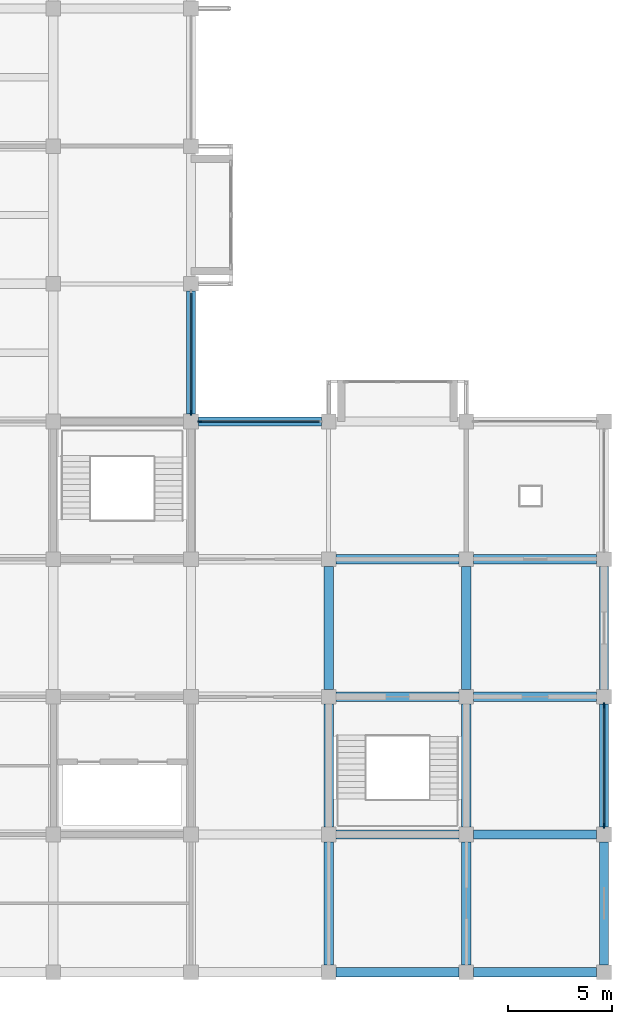
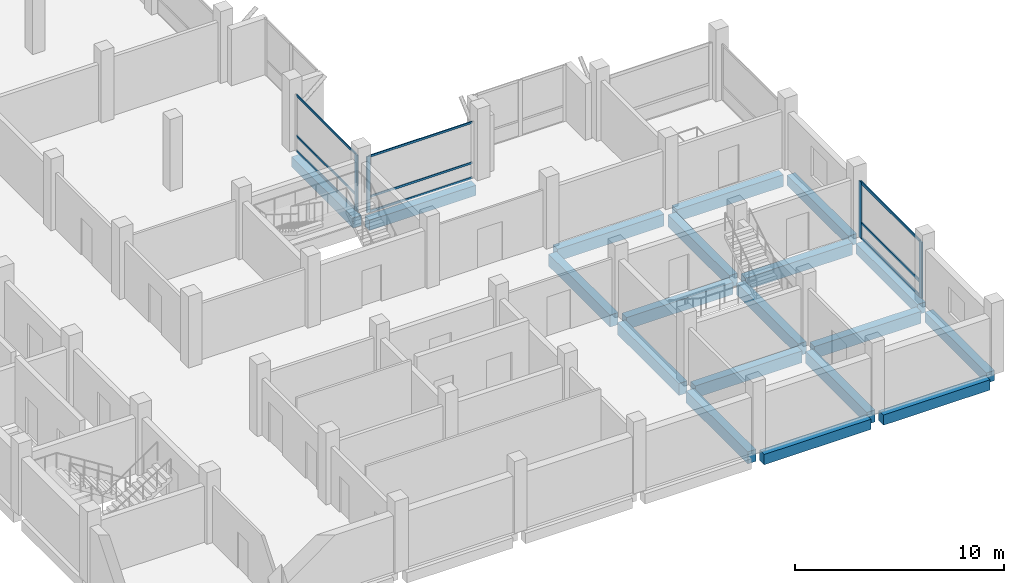
# One storey, part 2 of 11: 19 beams, 13 members, 3 elements without a shape of their own.
"""IFC4 building model written with IfcOpenShell, lengths in metres."""

from ifc_helpers import new_model, si_unit, direction, frame, origin, origin_2d, place, context, subcontext, project, spatial, rectangle, extrude, material, material_profile, profile_set, type_object, element, aggregate, save


model = new_model("IFC4")

# Units and contexts
model_context = context("Model", 3, precision=1e-05, world=origin(), true_north=direction((0.0, 1.0)))
body_context = subcontext(model_context, "Body", "Model", "MODEL_VIEW")
ifc_project = project(units=[si_unit("LENGTHUNIT", "METRE"), si_unit("AREAUNIT", "SQUARE_METRE"), si_unit("VOLUMEUNIT", "CUBIC_METRE"), si_unit("PLANEANGLEUNIT", "RADIAN"), si_unit("MASSUNIT", "GRAM", prefix="KILO")], contexts=[model_context])

# Site, building, storey
site_placement = place(None, origin())
site = spatial("IfcSite", under=ifc_project, at=site_placement, CompositionType="ELEMENT")
building_placement = place(site_placement, origin())
building = spatial("IfcBuilding", under=site, at=building_placement, Name="Rusizi Kubbe Research Institute", CompositionType="ELEMENT")
storey_placement = place(building_placement, frame((0.0, 0.0, 39.60009765625)))
storey = spatial("IfcBuildingStorey", under=building, at=storey_placement, Name="L09", CompositionType="ELEMENT", Elevation=39.60009765625)

# Beams
ifc_material_1 = material(Name="Concrete C40/50", Category="concrete")
ifc_material_profile_1 = material_profile(ifc_material_1, rectangle(XDim=0.449951171875, YDim=0.60009765625, at=origin_2d()), Name="RC450x600")
ifc_profile_set_1 = profile_set([ifc_material_profile_1], Name="Concrete C40/50")
beam_type_1 = type_object("IfcBeamType", Name="BM-RC450x600", PredefinedType="SPANDREL", material=ifc_profile_set_1)
for number, where, z_axis, x_axis, name in (
    (1, (26.75, 26.39990234375, -0.6201171875), (1.0, 0.0, 0.0), (0.0, 1.0, 0.0), "Grid Beam H L09 (4,4)"),
    (2, (33.35009765625, 0.0, -0.6201171875), (1.0, 0.0, 0.0), (0.0, 1.0, 0.0), "Grid Beam H L09 (5,0)"),
):
    element("IfcBeam", number, at=place(storey_placement, frame(where, z_axis=z_axis, x_axis=x_axis)), inside=storey, type_object=beam_type_1, Name=name, PredefinedType="SPANDREL", context=body_context, shape_type="SweptSolid", body=[
        extrude(rectangle(XDim=0.449951171875, YDim=0.60009765625, at=origin_2d()), origin(), (0.0, 0.0, 1.0), 5.89990234375),
    ])
beam_1_placement = place(storey_placement, frame((39.949951171875, 0.0, -0.6201171875), z_axis=(1.0, 0.0, 0.0), x_axis=(0.0, 1.0, 0.0)))
element("IfcBeam", 3, at=beam_1_placement, inside=storey, type_object=beam_type_1, Name="Grid Beam H L09 (6,0)", PredefinedType="SPANDREL", context=body_context, shape_type="SweptSolid", body=[
    extrude(rectangle(XDim=0.449951171875, YDim=0.60009765625, at=origin_2d()), origin(), (0.0, 0.0, 1.0), 5.900146484375),
])
for number, where, z_axis, x_axis, name in (
    (4, (26.39990234375, 26.75, -0.6201171875), (0.0, 1.0, 0.0), (-1.0, 0.0, 0.0), "Grid Beam V L09 (4,4)"),
    (5, (46.199951171875, 0.35009765625, -0.6201171875), (0.0, 1.0, 0.0), (-1.0, 0.0, 0.0), "Grid Beam V L09 (7,0)"),
):
    element("IfcBeam", number, at=place(storey_placement, frame(where, z_axis=z_axis, x_axis=x_axis)), inside=storey, type_object=beam_type_1, Name=name, PredefinedType="SPANDREL", context=body_context, shape_type="SweptSolid", body=[
        extrude(rectangle(XDim=0.449951171875, YDim=0.60009765625, at=origin_2d()), origin(), (0.0, 0.0, 1.0), 5.89990234375),
    ])
beam_2_placement = place(storey_placement, frame((46.199951171875, 6.949951171875, -0.6201171875), z_axis=(0.0, 1.0, 0.0), x_axis=(-1.0, 0.0, 0.0)))
element("IfcBeam", 6, at=beam_2_placement, inside=storey, type_object=beam_type_1, Name="Grid Beam V L09 (7,1)", PredefinedType="SPANDREL", context=body_context, shape_type="SweptSolid", body=[
    extrude(rectangle(XDim=0.449951171875, YDim=0.60009765625, at=origin_2d()), origin(), (0.0, 0.0, 1.0), 5.900146484375),
])
beam_3_placement = place(storey_placement, frame((46.199951171875, 13.550048828125, -0.6201171875), z_axis=(0.0, 1.0, 0.0), x_axis=(-1.0, 0.0, 0.0)))
element("IfcBeam", 7, at=beam_3_placement, inside=storey, type_object=beam_type_1, Name="Grid Beam V L09 (7,2)", PredefinedType="SPANDREL", context=body_context, shape_type="SweptSolid", body=[
    extrude(rectangle(XDim=0.449951171875, YDim=0.60009765625, at=origin_2d()), origin(), (0.0, 0.0, 1.0), 5.89990234375),
])
ifc_material_2 = material(Name="Concrete C40/50", Category="concrete")
ifc_material_profile_2 = material_profile(ifc_material_2, rectangle(XDim=0.449951171875, YDim=0.699951171875, at=origin_2d()), Name="RC450x700B")
ifc_profile_set_2 = profile_set([ifc_material_profile_2], Name="Concrete C40/50")
beam_type_2 = type_object("IfcBeamType", Name="BM-RC450x700", PredefinedType="BEAM", material=ifc_profile_set_2)
for number, where, z_axis, x_axis, name in (
    (8, (33.35009765625, 6.60009765625, -0.670166015625), (1.0, 0.0, 0.0), (0.0, 1.0, 0.0), "Grid Beam H L09 (5,1)"),
    (9, (33.35009765625, 13.199951171875, -0.670166015625), (1.0, 0.0, 0.0), (0.0, 1.0, 0.0), "Grid Beam H L09 (5,2)"),
    (10, (33.35009765625, 19.800048828125, -0.670166015625), (1.0, 0.0, 0.0), (0.0, 1.0, 0.0), "Grid Beam H L09 (5,3)"),
):
    element("IfcBeam", number, at=place(storey_placement, frame(where, z_axis=z_axis, x_axis=x_axis)), inside=storey, type_object=beam_type_2, Name=name, PredefinedType="BEAM", context=body_context, shape_type="SweptSolid", body=[
        extrude(rectangle(XDim=0.449951171875, YDim=0.699951171875, at=origin_2d()), origin(), (0.0, 0.0, 1.0), 5.89990234375),
    ])
for number, where, z_axis, x_axis, name in (
    (11, (39.949951171875, 6.60009765625, -0.670166015625), (1.0, 0.0, 0.0), (0.0, 1.0, 0.0), "Grid Beam H L09 (6,1)"),
    (12, (39.949951171875, 13.199951171875, -0.670166015625), (1.0, 0.0, 0.0), (0.0, 1.0, 0.0), "Grid Beam H L09 (6,2)"),
    (13, (39.949951171875, 19.800048828125, -0.670166015625), (1.0, 0.0, 0.0), (0.0, 1.0, 0.0), "Grid Beam H L09 (6,3)"),
):
    element("IfcBeam", number, at=place(storey_placement, frame(where, z_axis=z_axis, x_axis=x_axis)), inside=storey, type_object=beam_type_2, Name=name, PredefinedType="BEAM", context=body_context, shape_type="SweptSolid", body=[
        extrude(rectangle(XDim=0.449951171875, YDim=0.699951171875, at=origin_2d()), origin(), (0.0, 0.0, 1.0), 5.900146484375),
    ])
beam_4_placement = place(storey_placement, frame((33.0, 0.35009765625, -0.670166015625), z_axis=(0.0, 1.0, 0.0), x_axis=(-1.0, 0.0, 0.0)))
element("IfcBeam", 14, at=beam_4_placement, inside=storey, type_object=beam_type_2, Name="Grid Beam V L09 (5,0)", PredefinedType="BEAM", context=body_context, shape_type="SweptSolid", body=[
    extrude(rectangle(XDim=0.449951171875, YDim=0.699951171875, at=origin_2d()), origin(), (0.0, 0.0, 1.0), 5.89990234375),
])
beam_5_placement = place(storey_placement, frame((33.0, 6.949951171875, -0.670166015625), z_axis=(0.0, 1.0, 0.0), x_axis=(-1.0, 0.0, 0.0)))
element("IfcBeam", 15, at=beam_5_placement, inside=storey, type_object=beam_type_2, Name="Grid Beam V L09 (5,1)", PredefinedType="BEAM", context=body_context, shape_type="SweptSolid", body=[
    extrude(rectangle(XDim=0.449951171875, YDim=0.699951171875, at=origin_2d()), origin(), (0.0, 0.0, 1.0), 5.900146484375),
])
for number, where, z_axis, x_axis, name in (
    (16, (33.0, 13.550048828125, -0.670166015625), (0.0, 1.0, 0.0), (-1.0, 0.0, 0.0), "Grid Beam V L09 (5,2)"),
    (17, (39.60009765625, 0.35009765625, -0.670166015625), (0.0, 1.0, 0.0), (-1.0, 0.0, 0.0), "Grid Beam V L09 (6,0)"),
):
    element("IfcBeam", number, at=place(storey_placement, frame(where, z_axis=z_axis, x_axis=x_axis)), inside=storey, type_object=beam_type_2, Name=name, PredefinedType="BEAM", context=body_context, shape_type="SweptSolid", body=[
        extrude(rectangle(XDim=0.449951171875, YDim=0.699951171875, at=origin_2d()), origin(), (0.0, 0.0, 1.0), 5.89990234375),
    ])
beam_6_placement = place(storey_placement, frame((39.60009765625, 6.949951171875, -0.670166015625), z_axis=(0.0, 1.0, 0.0), x_axis=(-1.0, 0.0, 0.0)))
element("IfcBeam", 18, at=beam_6_placement, inside=storey, type_object=beam_type_2, Name="Grid Beam V L09 (6,1)", PredefinedType="BEAM", context=body_context, shape_type="SweptSolid", body=[
    extrude(rectangle(XDim=0.449951171875, YDim=0.699951171875, at=origin_2d()), origin(), (0.0, 0.0, 1.0), 5.900146484375),
])
beam_7_placement = place(storey_placement, frame((39.60009765625, 13.550048828125, -0.670166015625), z_axis=(0.0, 1.0, 0.0), x_axis=(-1.0, 0.0, 0.0)))
element("IfcBeam", 19, at=beam_7_placement, inside=storey, type_object=beam_type_2, Name="Grid Beam V L09 (6,2)", PredefinedType="BEAM", context=body_context, shape_type="SweptSolid", body=[
    extrude(rectangle(XDim=0.449951171875, YDim=0.699951171875, at=origin_2d()), origin(), (0.0, 0.0, 1.0), 5.89990234375),
])

# Curtain wall, member
ifc_material_3 = material(Name="Thermally Broken Aluminium and Low-E Glazing", Category="aluminium")
curtain_wall_type_1 = type_object("IfcCurtainWallType", Name="CW-12", PredefinedType="NOTDEFINED", material=ifc_material_3)
curtain_wall_1_placement = place(storey_placement, origin())
curtain_wall_1 = element("IfcCurtainWall", 20, at=curtain_wall_1_placement, inside=storey, type_object=curtain_wall_type_1, Name="Unitised Facade Curtain Wall CW-L09-H-04-04", PredefinedType="NOTDEFINED")
ifc_material_4 = material(Name="Aluminium Alloy 6063-T6", Category="aluminium")
ifc_material_profile_3 = material_profile(ifc_material_4, rectangle(XDim=0.06494140625, YDim=0.199951171875, at=origin_2d()), Name="ALU-M 65x200")
ifc_profile_set_3 = profile_set([ifc_material_profile_3], Name="Aluminium Alloy 6063-T6")
member_type_1 = type_object("IfcMemberType", Name="ML-03", PredefinedType="MULLION", material=ifc_profile_set_3)
member_1_placement = place(storey_placement, frame((26.8125, 26.39990234375, 0.0), z_axis=(0.0, 0.0, 1.0), x_axis=(0.0, 1.0, 0.0)))
member_1 = element("IfcMember", 21, at=member_1_placement, type_object=member_type_1, Name="CW-12 mullion 1", PredefinedType="MULLION", context=body_context, shape_type="SweptSolid", body=[
    extrude(rectangle(XDim=0.06494140625, YDim=0.199951171875, at=origin_2d()), origin(), (0.0, 0.0, 1.0), 3.289794921875),
])

curtain_wall_2_placement = place(storey_placement, origin())
curtain_wall_2 = element("IfcCurtainWall", 22, at=curtain_wall_2_placement, inside=storey, type_object=curtain_wall_type_1, Name="Unitised Facade Curtain Wall CW-L09-V-04-04", PredefinedType="NOTDEFINED")
ifc_material_5 = material(Name="Aluminium Alloy 6063-T6", Category="aluminium")
ifc_material_profile_4 = material_profile(ifc_material_5, rectangle(XDim=0.074951171875, YDim=0.25, at=origin_2d()), Name="ALU-M 75x250")
ifc_profile_set_4 = profile_set([ifc_material_profile_4], Name="Aluminium Alloy 6063-T6")
member_type_2 = type_object("IfcMemberType", Name="ML-05", PredefinedType="MULLION", material=ifc_profile_set_4)
member_2_placement = place(storey_placement, frame((26.39990234375, 26.8173828125, 0.0), z_axis=(0.0, 0.0, 1.0), x_axis=(-1.0, 0.0, 0.0)))
member_2 = element("IfcMember", 23, at=member_2_placement, type_object=member_type_2, Name="CW-12 mullion 1", PredefinedType="MULLION", context=body_context, shape_type="SweptSolid", body=[
    extrude(rectangle(XDim=0.074951171875, YDim=0.25, at=origin_2d()), origin(), (0.0, 0.0, 1.0), 3.289794921875),
])

# Curtain wall, members
ifc_material_6 = material(Name="Thermally Broken Aluminium and Low-E Glazing", Category="aluminium")
curtain_wall_type_2 = type_object("IfcCurtainWallType", Name="CW-13", PredefinedType="NOTDEFINED", material=ifc_material_6)
curtain_wall_3_placement = place(storey_placement, origin())
curtain_wall_3 = element("IfcCurtainWall", 24, at=curtain_wall_3_placement, inside=storey, type_object=curtain_wall_type_2, Name="Unitised Facade Curtain Wall CW-L09-V-07-01", PredefinedType="NOTDEFINED")
member_3_placement = place(storey_placement, frame((46.199951171875, 7.017578125, 0.0), z_axis=(0.0, 0.0, 1.0), x_axis=(-1.0, 0.0, 0.0)))
member_3 = element("IfcMember", 25, at=member_3_placement, type_object=member_type_2, Name="CW-13 mullion 1", PredefinedType="MULLION", context=body_context, shape_type="SweptSolid", body=[
    extrude(rectangle(XDim=0.074951171875, YDim=0.25, at=origin_2d()), origin(), (0.0, 0.0, 1.0), 3.289794921875),
])
member_4_placement = place(storey_placement, frame((46.199951171875, 12.782470703125, 0.0), z_axis=(0.0, 0.0, 1.0), x_axis=(-1.0, 0.0, 0.0)))
member_4 = element("IfcMember", 26, at=member_4_placement, type_object=member_type_2, Name="CW-13 mullion 2", PredefinedType="MULLION", context=body_context, shape_type="SweptSolid", body=[
    extrude(rectangle(XDim=0.074951171875, YDim=0.25, at=origin_2d()), origin(), (0.0, 0.0, 1.0), 3.289794921875),
])

# Member
ifc_material_7 = material(Name="Aluminium Alloy 6063-T6", Category="aluminium")
ifc_material_profile_5 = material_profile(ifc_material_7, rectangle(XDim=0.06005859375, YDim=0.1201171875, at=origin_2d()), Name="ALU-T 60x120")
ifc_profile_set_5 = profile_set([ifc_material_profile_5], Name="Aluminium Alloy 6063-T6")
member_type_3 = type_object("IfcMemberType", Name="TR-01", PredefinedType="USERDEFINED", material=ifc_profile_set_5)
member_5_placement = place(storey_placement, frame((26.39990234375, 26.85498046875, 0.02978515625), z_axis=(0.0, 1.0, 0.0), x_axis=(-1.0, 0.0, 0.0)))
member_5 = element("IfcMember", 27, at=member_5_placement, type_object=member_type_3, Name="CW-12 transom 1.1", ObjectType="TRANSOM", PredefinedType="USERDEFINED", context=body_context, shape_type="SweptSolid", body=[
    extrude(rectangle(XDim=0.06005859375, YDim=0.1201171875, at=origin_2d()), origin(), (0.0, 0.0, 1.0), 5.68994140625),
])

member_6_placement = place(storey_placement, frame((26.39990234375, 26.85498046875, 0.89990234375), z_axis=(0.0, 1.0, 0.0), x_axis=(-1.0, 0.0, 0.0)))
member_6 = element("IfcMember", 28, at=member_6_placement, type_object=member_type_3, Name="CW-12 transom 1.2", ObjectType="TRANSOM", PredefinedType="USERDEFINED", context=body_context, shape_type="SweptSolid", body=[
    extrude(rectangle(XDim=0.06005859375, YDim=0.1201171875, at=origin_2d()), origin(), (0.0, 0.0, 1.0), 5.68994140625),
])

member_7_placement = place(storey_placement, frame((26.39990234375, 26.85498046875, 3.260009765625), z_axis=(0.0, 1.0, 0.0), x_axis=(-1.0, 0.0, 0.0)))
member_7 = element("IfcMember", 29, at=member_7_placement, type_object=member_type_3, Name="CW-12 transom 1.3", ObjectType="TRANSOM", PredefinedType="USERDEFINED", context=body_context, shape_type="SweptSolid", body=[
    extrude(rectangle(XDim=0.06005859375, YDim=0.1201171875, at=origin_2d()), origin(), (0.0, 0.0, 1.0), 5.68994140625),
])

aggregate(curtain_wall_2, [member_2, member_5, member_6, member_7])

member_8_placement = place(storey_placement, frame((26.844970703125, 26.39990234375, 0.02978515625), z_axis=(1.0, 0.0, 0.0), x_axis=(0.0, 1.0, 0.0)))
member_8 = element("IfcMember", 30, at=member_8_placement, type_object=member_type_3, Name="CW-12 transom 1.1", ObjectType="TRANSOM", PredefinedType="USERDEFINED", context=body_context, shape_type="SweptSolid", body=[
    extrude(rectangle(XDim=0.06005859375, YDim=0.1201171875, at=origin_2d()), origin(), (0.0, 0.0, 1.0), 5.7099609375),
])

member_9_placement = place(storey_placement, frame((26.844970703125, 26.39990234375, 0.89990234375), z_axis=(1.0, 0.0, 0.0), x_axis=(0.0, 1.0, 0.0)))
member_9 = element("IfcMember", 31, at=member_9_placement, type_object=member_type_3, Name="CW-12 transom 1.2", ObjectType="TRANSOM", PredefinedType="USERDEFINED", context=body_context, shape_type="SweptSolid", body=[
    extrude(rectangle(XDim=0.06005859375, YDim=0.1201171875, at=origin_2d()), origin(), (0.0, 0.0, 1.0), 5.7099609375),
])

member_10_placement = place(storey_placement, frame((26.844970703125, 26.39990234375, 3.260009765625), z_axis=(1.0, 0.0, 0.0), x_axis=(0.0, 1.0, 0.0)))
member_10 = element("IfcMember", 32, at=member_10_placement, type_object=member_type_3, Name="CW-12 transom 1.3", ObjectType="TRANSOM", PredefinedType="USERDEFINED", context=body_context, shape_type="SweptSolid", body=[
    extrude(rectangle(XDim=0.06005859375, YDim=0.1201171875, at=origin_2d()), origin(), (0.0, 0.0, 1.0), 5.7099609375),
])

aggregate(curtain_wall_1, [member_1, member_8, member_9, member_10])

ifc_material_8 = material(Name="Aluminium Alloy 6063-T6", Category="aluminium")
ifc_material_profile_6 = material_profile(ifc_material_8, rectangle(XDim=0.06494140625, YDim=0.159912109375, at=origin_2d()), Name="ALU-T 65x160")
ifc_profile_set_6 = profile_set([ifc_material_profile_6], Name="Aluminium Alloy 6063-T6")
member_type_4 = type_object("IfcMemberType", Name="TR-03", PredefinedType="USERDEFINED", material=ifc_profile_set_6)
member_11_placement = place(storey_placement, frame((46.199951171875, 7.054931640625, 0.032470703125), z_axis=(0.0, 1.0, 0.0), x_axis=(-1.0, 0.0, 0.0)))
member_11 = element("IfcMember", 33, at=member_11_placement, type_object=member_type_4, Name="CW-13 transom 1.1", ObjectType="TRANSOM", PredefinedType="USERDEFINED", context=body_context, shape_type="SweptSolid", body=[
    extrude(rectangle(XDim=0.06494140625, YDim=0.159912109375, at=origin_2d()), origin(), (0.0, 0.0, 1.0), 5.690185546875),
])

member_12_placement = place(storey_placement, frame((46.199951171875, 7.054931640625, 0.89990234375), z_axis=(0.0, 1.0, 0.0), x_axis=(-1.0, 0.0, 0.0)))
member_12 = element("IfcMember", 34, at=member_12_placement, type_object=member_type_4, Name="CW-13 transom 1.2", ObjectType="TRANSOM", PredefinedType="USERDEFINED", context=body_context, shape_type="SweptSolid", body=[
    extrude(rectangle(XDim=0.06494140625, YDim=0.159912109375, at=origin_2d()), origin(), (0.0, 0.0, 1.0), 5.690185546875),
])

member_13_placement = place(storey_placement, frame((46.199951171875, 7.054931640625, 3.25732421875), z_axis=(0.0, 1.0, 0.0), x_axis=(-1.0, 0.0, 0.0)))
member_13 = element("IfcMember", 35, at=member_13_placement, type_object=member_type_4, Name="CW-13 transom 1.3", ObjectType="TRANSOM", PredefinedType="USERDEFINED", context=body_context, shape_type="SweptSolid", body=[
    extrude(rectangle(XDim=0.06494140625, YDim=0.159912109375, at=origin_2d()), origin(), (0.0, 0.0, 1.0), 5.690185546875),
])

aggregate(curtain_wall_3, [member_3, member_4, member_11, member_12, member_13])

save(model, "model.ifc")
